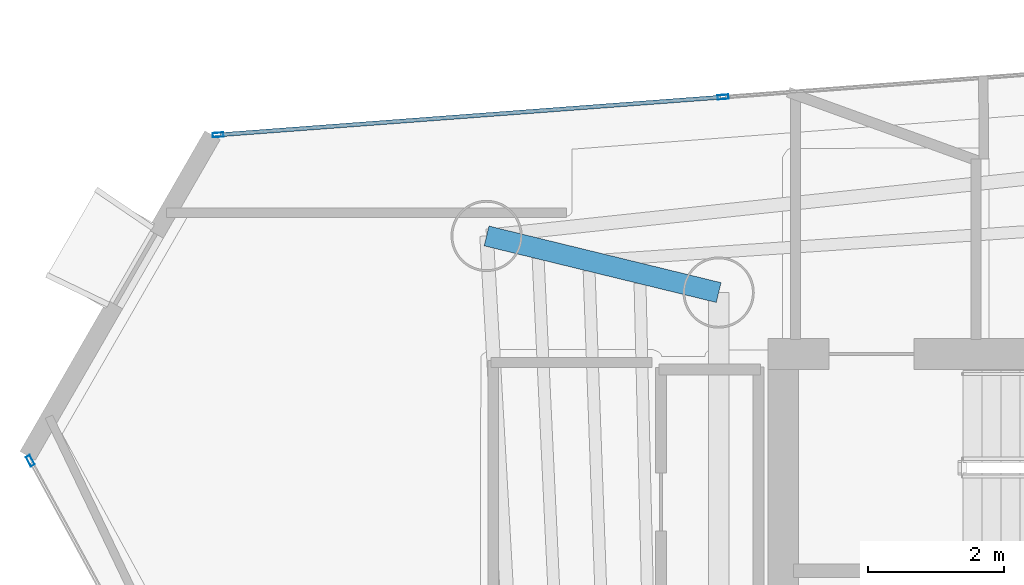
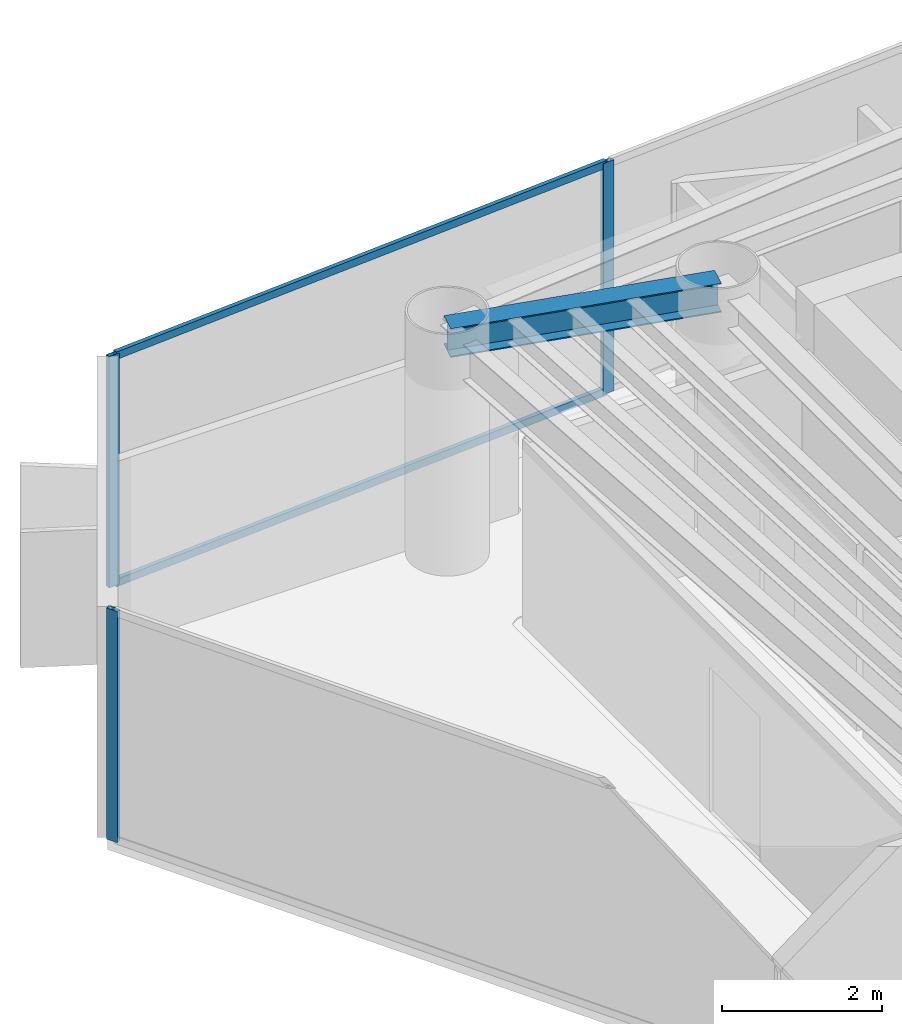
# One storey, part 8 of 19: 5 members, 1 beam, 2 elements without a shape of their own.
"""IFC4 building model written with IfcOpenShell, lengths in metres."""

from ifc_helpers import new_model, si_unit, direction, frame, origin, origin_2d, place, context, subcontext, project, spatial, hollow_rectangle, i_section, extrude, material, layer, layer_set, material_profile, profile_set, type_object, element, aggregate, save


model = new_model("IFC4")

# Units and contexts
model_context = context("Model", 3, precision=1e-05, world=origin(), true_north=direction((0.0, 1.0)))
body_context = subcontext(model_context, "Body", "Model", "MODEL_VIEW")
ifc_project = project(units=[si_unit("LENGTHUNIT", "METRE"), si_unit("AREAUNIT", "SQUARE_METRE"), si_unit("VOLUMEUNIT", "CUBIC_METRE"), si_unit("PLANEANGLEUNIT", "RADIAN"), si_unit("MASSUNIT", "GRAM", prefix="KILO")], contexts=[model_context])

# Site, building, storey
site_placement = place(None, origin())
site = spatial("IfcSite", under=ifc_project, at=site_placement, CompositionType="ELEMENT")
building_placement = place(site_placement, origin())
building = spatial("IfcBuilding", under=site, at=building_placement, Name="Qianvela Tower", CompositionType="ELEMENT")
storey_placement = place(building_placement, frame((0.0, 0.0, 268.60009765625)))
storey = spatial("IfcBuildingStorey", under=building, at=storey_placement, Name="L69", CompositionType="ELEMENT", Elevation=268.60009765625)

# Beam
ifc_material_1 = material(Name="Steel Q355B", Category="steel")
ifc_material_profile_1 = material_profile(ifc_material_1, i_section(OverallWidth=0.300048828125, OverallDepth=0.43994140625, WebThickness=0.010986328125, FlangeThickness=0.01806640625, at=origin_2d()), Name="HM440x300x11x18")
ifc_profile_set_1 = profile_set([ifc_material_profile_1], Name="Steel Q355B")
beam_type = type_object("IfcBeamType", Name="BM-HM440-COLL", PredefinedType="BEAM", material=ifc_profile_set_1)
beam_placement = place(storey_placement, frame((28.60009765625, 33.550048828125, 3.2978515625), z_axis=(-0.971502414323, 0.237029658405, 0.0), x_axis=(-0.237029658405, -0.971502414323, 0.0)))
element("IfcBeam", 1, at=beam_placement, inside=storey, type_object=beam_type, Name="L69 Radial Primary Floor Girder 3", PredefinedType="BEAM", context=body_context, shape_type="SweptSolid", body=[
    extrude(i_section(OverallWidth=0.300048828125, OverallDepth=0.43994140625, WebThickness=0.010986328125, FlangeThickness=0.01806640625, at=origin_2d()), origin(), (0.0, 0.0, 1.0), 3.5185546875),
])

# Curtain wall, members
ifc_material_2 = material(Name="Anodised Architectural Aluminium and Low-E Glass", Category="aluminium")
ifc_layer = layer(ifc_material_2, 0.159912109375)
ifc_layer_set = layer_set([ifc_layer], Name="Anodised Architectural Aluminium and Low-E Glass")
curtain_wall_type = type_object("IfcCurtainWallType", Name="CW-COLIV-Z56", PredefinedType="USERDEFINED", material=ifc_layer_set)
curtain_wall_1_placement = place(storey_placement, origin())
curtain_wall_1 = element("IfcCurtainWall", 2, at=curtain_wall_1_placement, inside=storey, type_object=curtain_wall_type, Name="L69 CW-COLIV-Z56 Curtain Wall 02C", ObjectType="CURTAIN_WALL_SYSTEM", PredefinedType="USERDEFINED")
ifc_material_3 = material(Name="Anodised Architectural Aluminium 6063-T6", Category="aluminium")
ifc_material_profile_2 = material_profile(ifc_material_3, hollow_rectangle(XDim=0.06494140625, YDim=0.159912109375, WallThickness=0.0048828125, at=origin_2d()), Name="ALU-MULL-65x160")
ifc_profile_set_2 = profile_set([ifc_material_profile_2], Name="Anodised Architectural Aluminium 6063-T6")
member_type_1 = type_object("IfcMemberType", Name="CW-COLIV-Z56-MULL", PredefinedType="MULLION", material=ifc_profile_set_2)
member_1_placement = place(storey_placement, frame((28.665283203125, 36.430419921875, 0.0), z_axis=(0.0, 0.0, 1.0), x_axis=(0.074753447507, -0.997202046772, 0.0)))
member_1 = element("IfcMember", 3, at=member_1_placement, type_object=member_type_1, Name="CW-5 mullion 2", PredefinedType="MULLION", context=body_context, shape_type="SweptSolid", body=[
    extrude(hollow_rectangle(XDim=0.06494140625, YDim=0.159912109375, WallThickness=0.0048828125, at=origin_2d()), origin(), (0.0, 0.0, 1.0), 3.52001953125),
])
member_2_placement = place(storey_placement, frame((21.2265625, 35.872802734375, 0.0), z_axis=(0.0, 0.0, 1.0), x_axis=(0.074753447507, -0.997202046772, 0.0)))
member_2 = element("IfcMember", 4, at=member_2_placement, type_object=member_type_1, Name="CW-5 mullion 3", PredefinedType="MULLION", context=body_context, shape_type="SweptSolid", body=[
    extrude(hollow_rectangle(XDim=0.06494140625, YDim=0.159912109375, WallThickness=0.0048828125, at=origin_2d()), origin(), (0.0, 0.0, 1.0), 3.52001953125),
])

# Curtain wall, member
curtain_wall_2_placement = place(storey_placement, origin())
curtain_wall_2 = element("IfcCurtainWall", 5, at=curtain_wall_2_placement, inside=storey, type_object=curtain_wall_type, Name="L69 CW-COLIV-Z56 Curtain Wall 04A", ObjectType="CURTAIN_WALL_SYSTEM", PredefinedType="USERDEFINED")
member_3_placement = place(storey_placement, frame((18.4609375, 31.072998046875, 0.0), z_axis=(0.0, 0.0, 1.0), x_axis=(0.877647460577, 0.479306723241, 0.0)))
member_3 = element("IfcMember", 6, at=member_3_placement, type_object=member_type_1, Name="CW-5 mullion 1", PredefinedType="MULLION", context=body_context, shape_type="SweptSolid", body=[
    extrude(hollow_rectangle(XDim=0.06494140625, YDim=0.159912109375, WallThickness=0.0048828125, at=origin_2d()), origin(), (0.0, 0.0, 1.0), 3.52001953125),
])
aggregate(curtain_wall_2, [member_3])

# Member
ifc_material_4 = material(Name="Anodised Architectural Aluminium 6063-T6", Category="aluminium")
ifc_material_profile_3 = material_profile(ifc_material_4, hollow_rectangle(XDim=0.06005859375, YDim=0.114990234375, WallThickness=0.00390625, at=origin_2d()), Name="ALU-TRAN-60x115")
ifc_profile_set_3 = profile_set([ifc_material_profile_3], Name="Anodised Architectural Aluminium 6063-T6")
member_type_2 = type_object("IfcMemberType", Name="CW-COLIV-Z56-TRAN", PredefinedType="USERDEFINED", material=ifc_profile_set_3)
member_4_placement = place(storey_placement, frame((28.6328125, 36.427978515625, 0.02978515625), z_axis=(-0.997202325516, -0.074749728999, 0.0), x_axis=(0.074749728999, -0.997202325516, 0.0)))
member_4 = element("IfcMember", 7, at=member_4_placement, type_object=member_type_2, Name="CW-5 transom 2.1", ObjectType="TRANSOM", PredefinedType="USERDEFINED", context=body_context, shape_type="SweptSolid", body=[
    extrude(hollow_rectangle(XDim=0.06005859375, YDim=0.114990234375, WallThickness=0.00390625, at=origin_2d()), origin(), (0.0, 0.0, 1.0), 7.39453125),
])

member_5_placement = place(storey_placement, frame((28.6328125, 36.427978515625, 3.489990234375), z_axis=(-0.997202325516, -0.074749728999, 0.0), x_axis=(0.074749728999, -0.997202325516, 0.0)))
member_5 = element("IfcMember", 8, at=member_5_placement, type_object=member_type_2, Name="CW-5 transom 2.2", ObjectType="TRANSOM", PredefinedType="USERDEFINED", context=body_context, shape_type="SweptSolid", body=[
    extrude(hollow_rectangle(XDim=0.06005859375, YDim=0.114990234375, WallThickness=0.00390625, at=origin_2d()), origin(), (0.0, 0.0, 1.0), 7.39453125),
])

aggregate(curtain_wall_1, [member_1, member_2, member_4, member_5])

save(model, "model.ifc")
